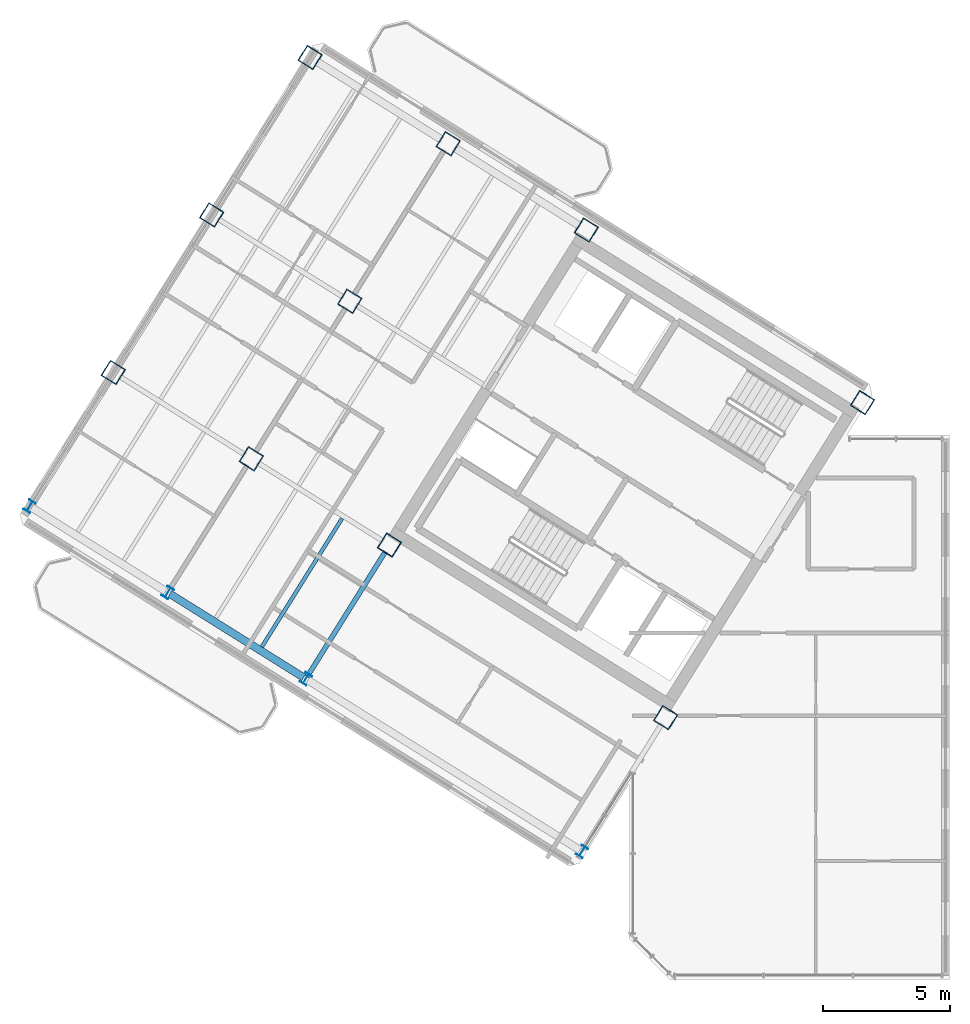
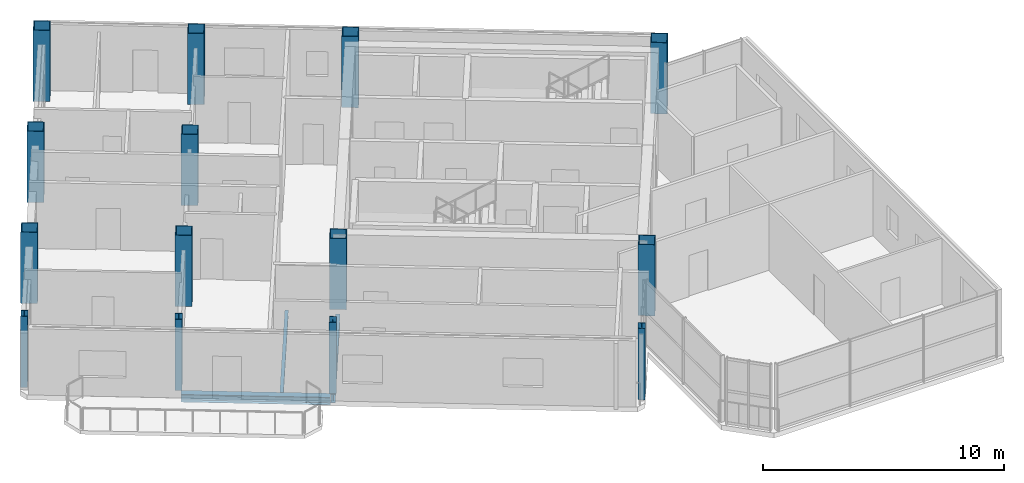
# One storey, part 1 of 13: 14 columns, 3 beams.
"""IFC4 building model written with IfcOpenShell, lengths in metres."""

from ifc_helpers import new_model, si_unit, direction, frame, origin, origin_2d, place, context, subcontext, project, spatial, hollow_rectangle, i_section, extrude, source, transform, mapped, material, material_profile, profile_set, type_object, element, save


model = new_model("IFC4")

# Units and contexts
model_context = context("Model", 3, precision=1e-05, world=origin(), true_north=direction((0.0, 1.0)))
body_context = subcontext(model_context, "Body", "Model", "MODEL_VIEW")
ifc_project = project(units=[si_unit("LENGTHUNIT", "METRE"), si_unit("AREAUNIT", "SQUARE_METRE"), si_unit("VOLUMEUNIT", "CUBIC_METRE"), si_unit("PLANEANGLEUNIT", "RADIAN"), si_unit("MASSUNIT", "GRAM", prefix="KILO")], contexts=[model_context])

# Site, building, storey
site_placement = place(None, origin())
site = spatial("IfcSite", under=ifc_project, at=site_placement, CompositionType="ELEMENT")
building_placement = place(site_placement, origin())
building = spatial("IfcBuilding", under=site, at=building_placement, Name="Tlacorven Tower", CompositionType="ELEMENT")
storey_placement = place(building_placement, frame((0.0, 0.0, 291.60009765625)))
storey = spatial("IfcBuildingStorey", under=building, at=storey_placement, Name="L74", CompositionType="ELEMENT", Elevation=291.60009765625)

# Columns
ifc_material_1 = material(Name="Steel S355J2", Category="steel")
ifc_material_profile_1 = material_profile(ifc_material_1, i_section(OverallWidth=0.300048828125, OverallDepth=0.449951171875, WebThickness=0.013916015625, FlangeThickness=0.02587890625, at=origin_2d()), Name="HEB 450")
ifc_profile_set_1 = profile_set([ifc_material_profile_1], Name="Steel S355J2")
column_type_1 = type_object("IfcColumnType", Name="COL-TWR-P3", PredefinedType="COLUMN", material=ifc_profile_set_1)
shared_shape_1 = source(origin(), body_context, "Body", "SweptSolid", [
    extrude(i_section(OverallWidth=0.300048828125, OverallDepth=0.449951171875, WebThickness=0.013916015625, FlangeThickness=0.02587890625, at=origin_2d()), origin(), (0.0, 0.0, 1.0), 3.599853515625),
])
for number, where, z_axis, x_axis, name in (
    (1, (29.7607421875, 6.8291015625, 0.0), (0.0, 0.0, 1.0), (-0.848048096156, 0.529919264233, 0.0), "L74 column COL-L74-W1-4"),
    (2, (18.905517578125, 13.612060546875, 0.0), (0.0, 0.0, 1.0), (-0.848048096156, 0.529919264233, 0.0), "L74 column COL-L74-W3-4"),
    (3, (13.47802734375, 17.00341796875, 0.0), (0.0, 0.0, 1.0), (-0.848048096156, 0.529919264233, 0.0), "L74 column COL-L74-W4-4"),
    (4, (8.050537109375, 20.39501953125, 0.0), (0.0, 0.0, 1.0), (-0.848048096156, 0.529919264233, 0.0), "L74 column COL-L74-W5-4"),
):
    element("IfcColumn", number, at=place(storey_placement, frame(where, z_axis=z_axis, x_axis=x_axis)), inside=storey, type_object=column_type_1, Name=name, PredefinedType="COLUMN", context=body_context, shape_type="MappedRepresentation", body=[
        mapped(shared_shape_1, transform((0.0, 0.0, 0.0), scale=1.0)),
    ])
ifc_material_2 = material(Name="Steel S460M", Category="steel")
ifc_material_profile_2 = material_profile(ifc_material_2, hollow_rectangle(XDim=0.699951171875, YDim=0.699951171875, WallThickness=0.028076171875, at=origin_2d()), Name="BOX 700X700X28")
ifc_profile_set_2 = profile_set([ifc_material_profile_2], Name="Steel S460M")
column_type_2 = type_object("IfcColumnType", Name="COL-TWR-S4", PredefinedType="COLUMN", material=ifc_profile_set_2)
shared_shape_2 = source(origin(), body_context, "Body", "SweptSolid", [
    extrude(hollow_rectangle(XDim=0.699951171875, YDim=0.699951171875, WallThickness=0.028076171875, at=origin_2d()), origin(), (0.0, 0.0, 1.0), 3.599853515625),
])
for number, where, z_axis, x_axis, name in (
    (5, (40.782958984375, 24.468505859375, 0.0), (0.0, 0.0, 1.0), (-0.848048096156, 0.529919264233, 0.0), "L74 column COL-L74-W1-1"),
    (6, (33.046142578125, 12.0869140625, 0.0), (0.0, 0.0, 1.0), (-0.848048096156, 0.529919264233, 0.0), "L74 column COL-L74-W1-3"),
    (7, (29.927978515625, 31.25146484375, 0.0), (0.0, 0.0, 1.0), (-0.848048096156, 0.529919264233, 0.0), "L74 column COL-L74-W3-1"),
    (8, (22.191162109375, 18.869873046875, 0.0), (0.0, 0.0, 1.0), (-0.848048096156, 0.529919264233, 0.0), "L74 column COL-L74-W3-3"),
    (9, (24.50048828125, 34.642822265625, 0.0), (0.0, 0.0, 1.0), (-0.848048096156, 0.529919264233, 0.0), "L74 column COL-L74-W4-1"),
    (10, (20.632080078125, 28.4521484375, 0.0), (0.0, 0.0, 1.0), (-0.848048096156, 0.529919264233, 0.0), "L74 column COL-L74-W4-2"),
    (11, (16.763671875, 22.26123046875, 0.0), (0.0, 0.0, 1.0), (-0.848048096156, 0.529919264233, 0.0), "L74 column COL-L74-W4-3"),
    (12, (19.072998046875, 38.034423828125, 0.0), (0.0, 0.0, 1.0), (-0.848048096156, 0.529919264233, 0.0), "L74 column COL-L74-W5-1"),
    (13, (15.20458984375, 31.843505859375, 0.0), (0.0, 0.0, 1.0), (-0.848048096156, 0.529919264233, 0.0), "L74 column COL-L74-W5-2"),
    (14, (11.336181640625, 25.65283203125, 0.0), (0.0, 0.0, 1.0), (-0.848048096156, 0.529919264233, 0.0), "L74 column COL-L74-W5-3"),
):
    element("IfcColumn", number, at=place(storey_placement, frame(where, z_axis=z_axis, x_axis=x_axis)), inside=storey, type_object=column_type_2, Name=name, PredefinedType="COLUMN", context=body_context, shape_type="MappedRepresentation", body=[
        mapped(shared_shape_2, transform((0.0, 0.0, 0.0), scale=1.0)),
    ])

# Beams
ifc_material_profile_3 = material_profile(ifc_material_1, i_section(OverallWidth=0.300048828125, OverallDepth=0.389892578125, WebThickness=0.010986328125, FlangeThickness=0.01904296875, at=origin_2d()), Name="HEA 400")
ifc_profile_set_3 = profile_set([ifc_material_profile_3], Name="Steel S355J2")
beam_type_1 = type_object("IfcBeamType", Name="BM-SPN-400", PredefinedType="SPANDREL", material=ifc_profile_set_3)
shared_shape_3 = source(origin(), body_context, "Body", "SweptSolid", [
    extrude(i_section(OverallWidth=0.300048828125, OverallDepth=0.389892578125, WebThickness=0.010986328125, FlangeThickness=0.01904296875, at=origin_2d()), origin(), (0.0, 0.0, 1.0), 6.199951171875),
])
beam_1_placement = place(storey_placement, frame((18.82080078125, 13.6650390625, -0.445068359375), z_axis=(-0.848051394107, 0.529913986372, 0.0), x_axis=(-0.529913986372, -0.848051394107, 0.0)))
element("IfcBeam", 15, at=beam_1_placement, inside=storey, type_object=beam_type_1, Name="L74 beam BM-L74-WL4-3", PredefinedType="SPANDREL", context=body_context, shape_type="MappedRepresentation", body=[
    mapped(shared_shape_3, transform((0.0, 0.0, 0.0), scale=1.0)),
])
ifc_material_profile_4 = material_profile(ifc_material_1, i_section(OverallWidth=0.14990234375, OverallDepth=0.300048828125, WebThickness=0.007080078125, FlangeThickness=0.0107421875, at=origin_2d()), Name="IPE 300")
ifc_profile_set_4 = profile_set([ifc_material_profile_4], Name="Steel S355J2")
beam_type_2 = type_object("IfcBeamType", Name="BM-JST-300", PredefinedType="JOIST", material=ifc_profile_set_4)
shared_shape_4 = source(origin(), body_context, "Body", "SweptSolid", [
    extrude(i_section(OverallWidth=0.14990234375, OverallDepth=0.300048828125, WebThickness=0.007080078125, FlangeThickness=0.0107421875, at=origin_2d()), origin(), (0.0, 0.0, 1.0), 5.945068359375),
])
beam_2_placement = place(storey_placement, frame((20.3291015625, 19.91552734375, -0.400146484375), z_axis=(-0.529914037113, -0.848051362401, 0.0), x_axis=(0.848051362401, -0.529914037113, 0.0)))
element("IfcBeam", 16, at=beam_2_placement, inside=storey, type_object=beam_type_2, Name="L74 beam BM-L74-WJ3-3-1", PredefinedType="JOIST", context=body_context, shape_type="MappedRepresentation", body=[
    mapped(shared_shape_4, transform((0.0, 0.0, 0.0), scale=1.0)),
])
ifc_material_profile_5 = material_profile(ifc_material_1, i_section(OverallWidth=0.18994140625, OverallDepth=0.449951171875, WebThickness=0.009521484375, FlangeThickness=0.0146484375, at=origin_2d()), Name="IPE 450")
ifc_profile_set_5 = profile_set([ifc_material_profile_5], Name="Steel S355J2")
beam_type_3 = type_object("IfcBeamType", Name="BM-TWR-450", PredefinedType="BEAM", material=ifc_profile_set_5)
shared_shape_5 = source(origin(), body_context, "Body", "SweptSolid", [
    extrude(i_section(OverallWidth=0.18994140625, OverallDepth=0.449951171875, WebThickness=0.009521484375, FlangeThickness=0.0146484375, at=origin_2d()), origin(), (0.0, 0.0, 1.0), 5.800048828125),
])
beam_3_placement = place(storey_placement, frame((22.0322265625, 18.615478515625, -0.47509765625), z_axis=(-0.52994218514, -0.848033773154, 0.0), x_axis=(0.848033773154, -0.52994218514, 0.0)))
element("IfcBeam", 17, at=beam_3_placement, inside=storey, type_object=beam_type_3, Name="L74 beam BM-L74-WT3-2", PredefinedType="BEAM", context=body_context, shape_type="MappedRepresentation", body=[
    mapped(shared_shape_5, transform((0.0, 0.0, 0.0), scale=1.0)),
])

save(model, "model.ifc")
